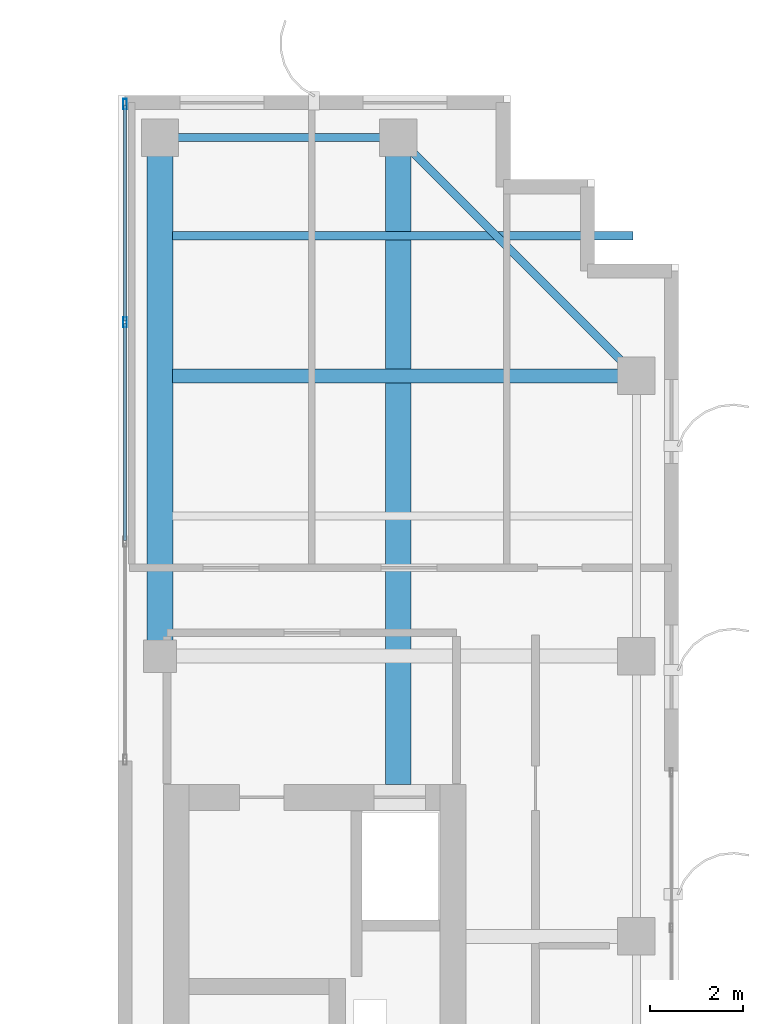
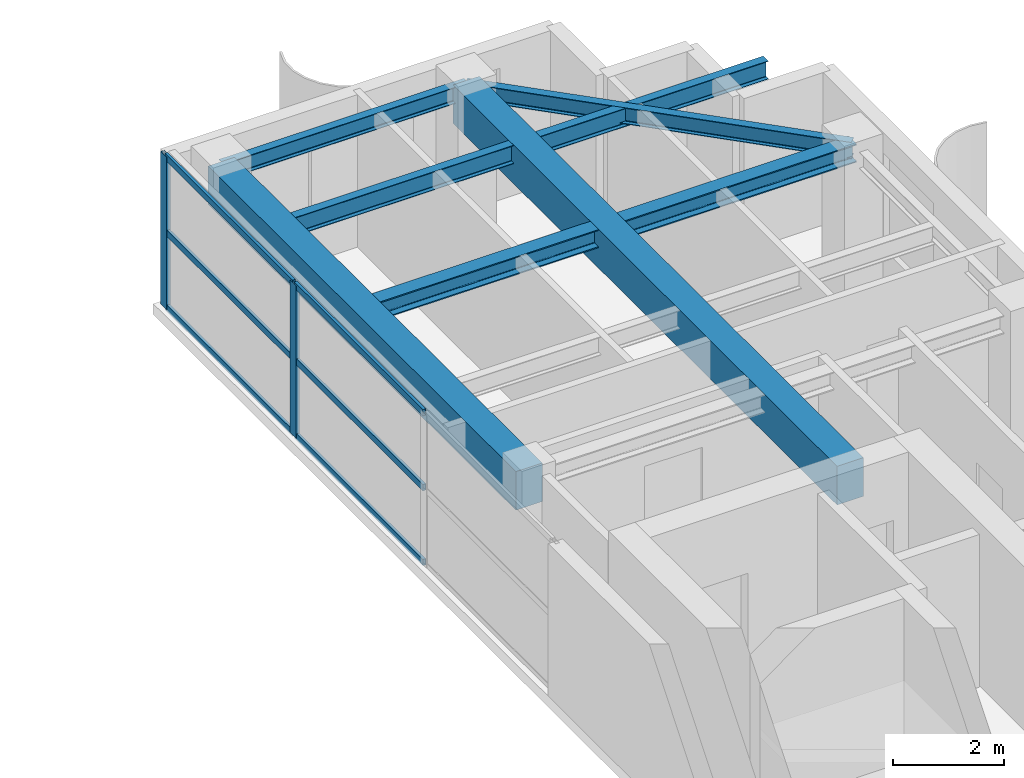
# One storey, part 15 of 22: 8 members, 6 beams, 1 element without a shape of its own.
"""IFC4 building model written with IfcOpenShell, lengths in metres."""

from ifc_helpers import new_model, si_unit, direction, frame, origin, origin_2d, place, context, subcontext, project, spatial, rectangle, hollow_rectangle, i_section, extrude, source, transform, mapped, material, layer, layer_set, material_profile, profile_set, type_object, element, aggregate, save


model = new_model("IFC4")

# Units and contexts
model_context = context("Model", 3, precision=1e-05, world=origin(), true_north=direction((0.0, 1.0)))
body_context = subcontext(model_context, "Body", "Model", "MODEL_VIEW")
ifc_project = project(units=[si_unit("LENGTHUNIT", "METRE"), si_unit("AREAUNIT", "SQUARE_METRE"), si_unit("VOLUMEUNIT", "CUBIC_METRE"), si_unit("PLANEANGLEUNIT", "RADIAN"), si_unit("MASSUNIT", "GRAM", prefix="KILO")], contexts=[model_context])

# Site, building, storey
site_placement = place(None, origin())
site = spatial("IfcSite", under=ifc_project, at=site_placement, CompositionType="ELEMENT")
building_placement = place(site_placement, origin())
building = spatial("IfcBuilding", under=site, at=building_placement, Name="Khoralis Quay Care Tower", CompositionType="ELEMENT")
storey_placement = place(building_placement, frame((0.0, 0.0, 256.5)))
storey = spatial("IfcBuildingStorey", under=building, at=storey_placement, Name="L67", CompositionType="ELEMENT", Elevation=256.5)

# Beams
ifc_material_1 = material(Name="Steel S355", Category="steel")
ifc_material_profile_1 = material_profile(ifc_material_1, i_section(OverallWidth=0.169921875, OverallDepth=0.360107421875, WebThickness=0.008056640625, FlangeThickness=0.0126953125, FilletRadius=0.01806640625, at=origin_2d()), Name="Steel S355")
ifc_profile_set_1 = profile_set([ifc_material_profile_1], Name="Steel S355")
beam_type_1 = type_object("IfcBeamType", Name="BM-IPE360", PredefinedType="SPANDREL", material=ifc_profile_set_1)
shared_shape_1 = source(origin(), body_context, "Body", "SweptSolid", [
    extrude(i_section(OverallWidth=0.169921875, OverallDepth=0.360107421875, WebThickness=0.008056640625, FlangeThickness=0.0126953125, FilletRadius=0.01806640625, at=origin_2d()), origin(), (0.0, 0.0, 1.0), 5.10009765625),
])
beam_1_placement = place(storey_placement, frame((30.89990234375, 41.10009765625, 3.179931640625), z_axis=(1.0, 0.0, 0.0), x_axis=(0.0, 1.0, 0.0)))
element("IfcBeam", 1, at=beam_1_placement, inside=storey, type_object=beam_type_1, Name="BM-TSP-L67-04", PredefinedType="SPANDREL", context=body_context, shape_type="MappedRepresentation", body=[
    mapped(shared_shape_1, transform((0.0, 0.0, 0.0), scale=1.0)),
])
shared_shape_2 = source(origin(), body_context, "Body", "SweptSolid", [
    extrude(i_section(OverallWidth=0.169921875, OverallDepth=0.360107421875, WebThickness=0.008056640625, FlangeThickness=0.0126953125, FilletRadius=0.01806640625, at=origin_2d()), origin(), (0.0, 0.0, 1.0), 7.212646484375),
])
beam_2_placement = place(storey_placement, frame((36.0, 41.10009765625, 3.179931640625), z_axis=(0.707106781187, -0.707106781187, 0.0), x_axis=(0.707106781187, 0.707106781187, 0.0)))
element("IfcBeam", 2, at=beam_2_placement, inside=storey, type_object=beam_type_1, Name="BM-TCR-L67-16", PredefinedType="SPANDREL", context=body_context, shape_type="MappedRepresentation", body=[
    mapped(shared_shape_2, transform((0.0, 0.0, 0.0), scale=1.0)),
])
ifc_material_profile_2 = material_profile(ifc_material_1, i_section(OverallWidth=0.300048828125, OverallDepth=0.39990234375, WebThickness=0.013427734375, FlangeThickness=0.02392578125, FilletRadius=0.027099609375, at=origin_2d()), Name="Steel S355")
ifc_profile_set_2 = profile_set([ifc_material_profile_2], Name="Steel S355")
beam_type_2 = type_object("IfcBeamType", Name="BM-HEB400", PredefinedType="BEAM", material=ifc_profile_set_2)
shared_shape_3 = source(origin(), body_context, "Body", "SweptSolid", [
    extrude(i_section(OverallWidth=0.300048828125, OverallDepth=0.39990234375, WebThickness=0.013427734375, FlangeThickness=0.02392578125, FilletRadius=0.027099609375, at=origin_2d()), origin(), (0.0, 0.0, 1.0), 9.93701171875),
])
beam_3_placement = place(storey_placement, frame((31.1630859375, 36.0, 3.159912109375), z_axis=(1.0, 0.0, 0.0), x_axis=(0.0, 1.0, 0.0)))
element("IfcBeam", 3, at=beam_3_placement, inside=storey, type_object=beam_type_2, Name="BM-TGXE-L67-360", PredefinedType="BEAM", context=body_context, shape_type="MappedRepresentation", body=[
    mapped(shared_shape_3, transform((0.0, 0.0, 0.0), scale=1.0)),
])
ifc_material_2 = material(Name="Concrete C50/60", Category="concrete")
ifc_material_profile_3 = material_profile(ifc_material_2, rectangle(XDim=0.550048828125, YDim=0.85009765625, at=origin_2d()), Name="Concrete C50/60")
ifc_profile_set_3 = profile_set([ifc_material_profile_3], Name="Concrete C50/60")
beam_type_3 = type_object("IfcBeamType", Name="BM-RC550X850", PredefinedType="BEAM", material=ifc_profile_set_3)
shared_shape_4 = source(origin(), body_context, "Body", "SweptSolid", [
    extrude(rectangle(XDim=0.550048828125, YDim=0.85009765625, at=origin_2d()), origin(), (0.0, 0.0, 1.0), 13.85205078125),
])
beam_4_placement = place(storey_placement, frame((36.0, 27.248046875, 2.93505859375), z_axis=(0.0, 1.0, 0.0), x_axis=(-1.0, 0.0, 0.0)))
element("IfcBeam", 4, at=beam_4_placement, inside=storey, type_object=beam_type_3, Name="BM-TGYN-L67-360", PredefinedType="BEAM", context=body_context, shape_type="MappedRepresentation", body=[
    mapped(shared_shape_4, transform((0.0, 0.0, 0.0), scale=1.0)),
])
shared_shape_5 = source(origin(), body_context, "Body", "SweptSolid", [
    extrude(rectangle(XDim=0.550048828125, YDim=0.85009765625, at=origin_2d()), origin(), (0.0, 0.0, 1.0), 11.10009765625),
])
beam_5_placement = place(storey_placement, frame((30.89990234375, 30.0, 2.93505859375), z_axis=(0.0, 1.0, 0.0), x_axis=(-1.0, 0.0, 0.0)))
element("IfcBeam", 5, at=beam_5_placement, inside=storey, type_object=beam_type_3, Name="BM-TGYN-L67-309", PredefinedType="BEAM", context=body_context, shape_type="MappedRepresentation", body=[
    mapped(shared_shape_5, transform((0.0, 0.0, 0.0), scale=1.0)),
])
ifc_material_profile_4 = material_profile(ifc_material_1, i_section(OverallWidth=0.177978515625, OverallDepth=0.406982421875, WebThickness=0.0078125, FlangeThickness=0.0126953125, FilletRadius=0.012939453125, at=origin_2d()), Name="Steel S355")
ifc_profile_set_4 = profile_set([ifc_material_profile_4], Name="Steel S355")
beam_type_4 = type_object("IfcBeamType", Name="BM-W410X60", PredefinedType="JOIST", material=ifc_profile_set_4)
shared_shape_6 = source(origin(), body_context, "Body", "SweptSolid", [
    extrude(i_section(OverallWidth=0.177978515625, OverallDepth=0.406982421875, WebThickness=0.0078125, FlangeThickness=0.0126953125, FilletRadius=0.012939453125, at=origin_2d()), origin(), (0.0, 0.0, 1.0), 9.865966796875),
])
beam_6_placement = place(storey_placement, frame((31.1630859375, 39.0, 3.156494140625), z_axis=(1.0, 0.0, 0.0), x_axis=(0.0, 1.0, 0.0)))
element("IfcBeam", 6, at=beam_6_placement, inside=storey, type_object=beam_type_4, Name="BM-TJS-L67-22", PredefinedType="JOIST", context=body_context, shape_type="MappedRepresentation", body=[
    mapped(shared_shape_6, transform((0.0, 0.0, 0.0), scale=1.0)),
])

# Curtain wall, members
ifc_material_3 = material(Name="Pale anodised aluminium", Category="aluminium")
ifc_layer = layer(ifc_material_3, 0.18994140625)
ifc_layer_set = layer_set([ifc_layer], Name="Pale anodised aluminium")
curtain_wall_type = type_object("IfcCurtainWallType", Name="CW-SYS-PORTAL", PredefinedType="NOTDEFINED", material=ifc_layer_set)
curtain_wall_placement = place(storey_placement, origin())
curtain_wall = element("IfcCurtainWall", 7, at=curtain_wall_placement, inside=storey, type_object=curtain_wall_type, Name="L67 Unitised Curtain Wall CW-VP-L67-P2-N", PredefinedType="NOTDEFINED")
ifc_material_profile_5 = material_profile(ifc_material_3, hollow_rectangle(XDim=0.06005859375, YDim=0.139892578125, WallThickness=0.00390625, at=origin_2d()), Name="Pale anodised aluminium")
ifc_profile_set_5 = profile_set([ifc_material_profile_5], Name="Pale anodised aluminium")
member_type_1 = type_object("IfcMemberType", Name="CW-TRN-140", PredefinedType="USERDEFINED", material=ifc_profile_set_5)
shared_shape_7 = source(origin(), body_context, "Body", "SweptSolid", [
    extrude(hollow_rectangle(XDim=0.06005859375, YDim=0.139892578125, WallThickness=0.00390625, at=origin_2d()), origin(), (0.0, 0.0, 1.0), 4.610107421875),
])
member_1_placement = place(storey_placement, frame((30.14990234375, 37.179931640625, 0.030029296875), z_axis=(0.0, 1.0, 0.0), x_axis=(-1.0, 0.0, 0.0)))
member_1 = element("IfcMember", 8, at=member_1_placement, type_object=member_type_1, Name="CW4 transom 3.1", ObjectType="TRANSOM", PredefinedType="USERDEFINED", context=body_context, shape_type="MappedRepresentation", body=[
    mapped(shared_shape_7, transform((0.0, 0.0, 0.0), scale=1.0)),
])
member_2_placement = place(storey_placement, frame((30.14990234375, 37.179931640625, 1.679931640625), z_axis=(0.0, 1.0, 0.0), x_axis=(-1.0, 0.0, 0.0)))
member_2 = element("IfcMember", 9, at=member_2_placement, type_object=member_type_1, Name="CW4 transom 3.2", ObjectType="TRANSOM", PredefinedType="USERDEFINED", context=body_context, shape_type="MappedRepresentation", body=[
    mapped(shared_shape_7, transform((0.0, 0.0, 0.0), scale=1.0)),
])
member_3_placement = place(storey_placement, frame((30.14990234375, 37.179931640625, 3.330078125), z_axis=(0.0, 1.0, 0.0), x_axis=(-1.0, 0.0, 0.0)))
member_3 = element("IfcMember", 10, at=member_3_placement, type_object=member_type_1, Name="CW4 transom 3.3", ObjectType="TRANSOM", PredefinedType="USERDEFINED", context=body_context, shape_type="MappedRepresentation", body=[
    mapped(shared_shape_7, transform((0.0, 0.0, 0.0), scale=1.0)),
])
shared_shape_8 = source(origin(), body_context, "Body", "SweptSolid", [
    extrude(hollow_rectangle(XDim=0.06005859375, YDim=0.139892578125, WallThickness=0.00390625, at=origin_2d()), origin(), (0.0, 0.0, 1.0), 4.64013671875),
])
member_4_placement = place(storey_placement, frame((30.14990234375, 32.47998046875, 0.030029296875), z_axis=(0.0, 1.0, 0.0), x_axis=(-1.0, 0.0, 0.0)))
member_4 = element("IfcMember", 11, at=member_4_placement, type_object=member_type_1, Name="CW4 transom 2.1", ObjectType="TRANSOM", PredefinedType="USERDEFINED", context=body_context, shape_type="MappedRepresentation", body=[
    mapped(shared_shape_8, transform((0.0, 0.0, 0.0), scale=1.0)),
])
member_5_placement = place(storey_placement, frame((30.14990234375, 32.47998046875, 1.679931640625), z_axis=(0.0, 1.0, 0.0), x_axis=(-1.0, 0.0, 0.0)))
member_5 = element("IfcMember", 12, at=member_5_placement, type_object=member_type_1, Name="CW4 transom 2.2", ObjectType="TRANSOM", PredefinedType="USERDEFINED", context=body_context, shape_type="MappedRepresentation", body=[
    mapped(shared_shape_8, transform((0.0, 0.0, 0.0), scale=1.0)),
])
member_6_placement = place(storey_placement, frame((30.14990234375, 32.47998046875, 3.330078125), z_axis=(0.0, 1.0, 0.0), x_axis=(-1.0, 0.0, 0.0)))
member_6 = element("IfcMember", 13, at=member_6_placement, type_object=member_type_1, Name="CW4 transom 2.3", ObjectType="TRANSOM", PredefinedType="USERDEFINED", context=body_context, shape_type="MappedRepresentation", body=[
    mapped(shared_shape_8, transform((0.0, 0.0, 0.0), scale=1.0)),
])
ifc_material_profile_6 = material_profile(ifc_material_3, hollow_rectangle(XDim=0.074951171875, YDim=0.219970703125, WallThickness=0.00390625, at=origin_2d()), Name="Pale anodised aluminium")
ifc_profile_set_6 = profile_set([ifc_material_profile_6], Name="Pale anodised aluminium")
member_type_2 = type_object("IfcMemberType", Name="CW-MUL-220", PredefinedType="MULLION", material=ifc_profile_set_6)
shared_shape_9 = source(origin(), body_context, "Body", "SweptSolid", [
    extrude(hollow_rectangle(XDim=0.074951171875, YDim=0.219970703125, WallThickness=0.00390625, at=origin_2d()), origin(), (0.0, 0.0, 1.0), 3.360107421875),
])
member_7_placement = place(storey_placement, frame((30.14990234375, 37.14990234375, 0.0), z_axis=(0.0, 0.0, 1.0), x_axis=(-1.0, 0.0, 0.0)))
member_7 = element("IfcMember", 14, at=member_7_placement, type_object=member_type_2, Name="CW4 mullion 3", PredefinedType="MULLION", context=body_context, shape_type="MappedRepresentation", body=[
    mapped(shared_shape_9, transform((0.0, 0.0, 0.0), scale=1.0)),
])
member_8_placement = place(storey_placement, frame((30.14990234375, 41.820068359375, 0.0), z_axis=(0.0, 0.0, 1.0), x_axis=(-1.0, 0.0, 0.0)))
member_8 = element("IfcMember", 15, at=member_8_placement, type_object=member_type_2, Name="CW4 mullion 4", PredefinedType="MULLION", context=body_context, shape_type="MappedRepresentation", body=[
    mapped(shared_shape_9, transform((0.0, 0.0, 0.0), scale=1.0)),
])
aggregate(curtain_wall, [member_7, member_8, member_4, member_5, member_6, member_1, member_2, member_3])

save(model, "model.ifc")
